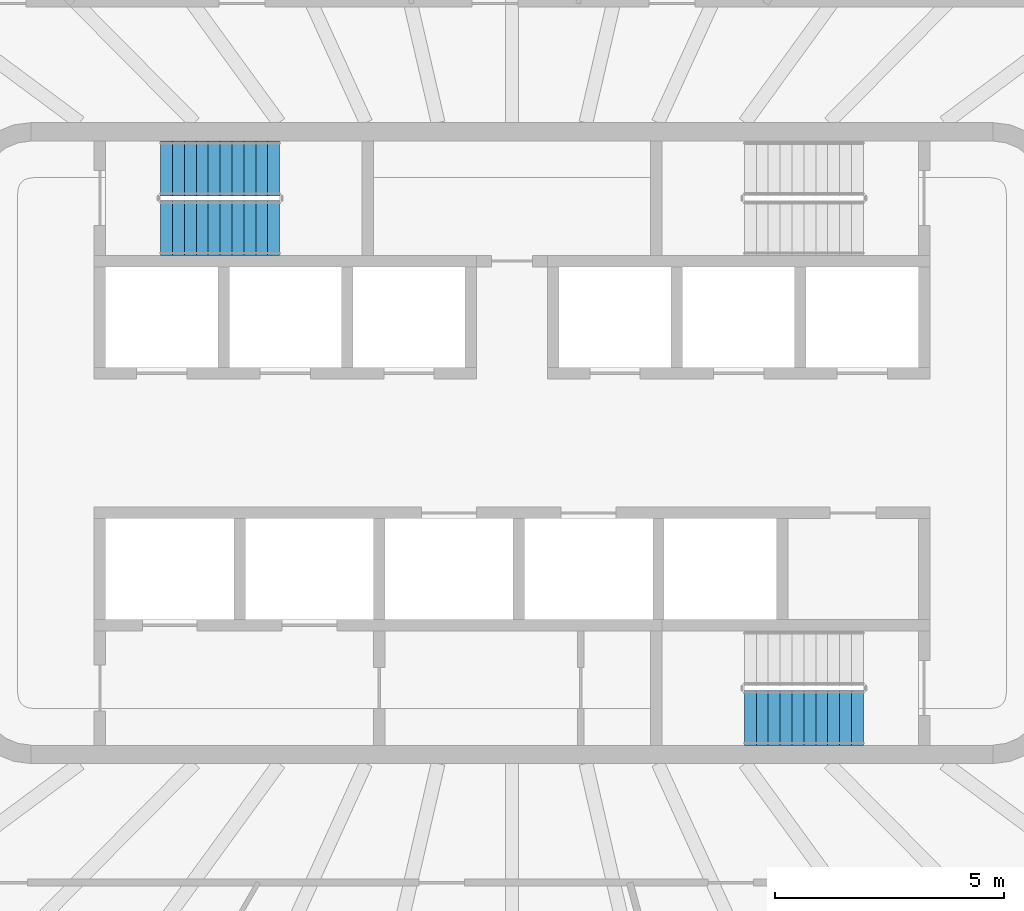
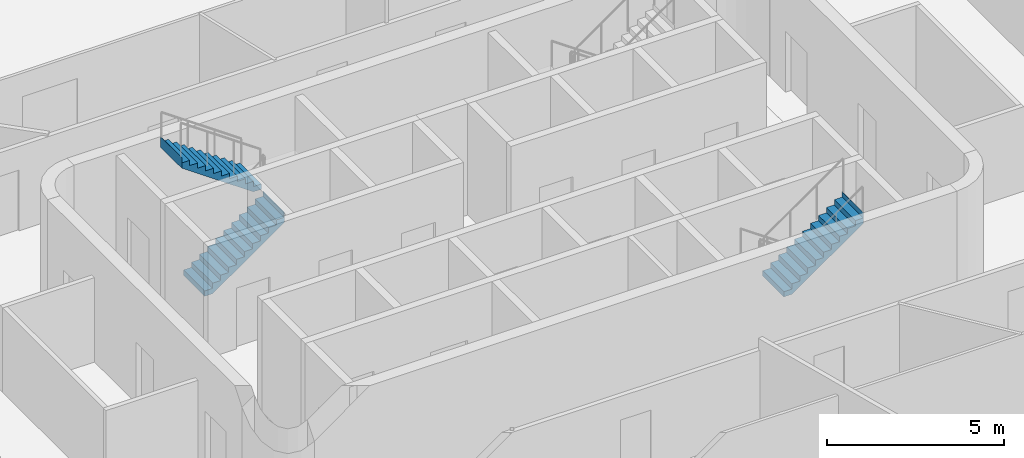
# One storey, part 14 of 20: 3 stair flights, 2 elements without a shape of their own.
"""IFC4 building model written with IfcOpenShell, lengths in metres."""

from ifc_helpers import new_model, si_unit, direction, frame, origin, place, context, subcontext, project, spatial, triangles, material, type_object, element, aggregate, save


model = new_model("IFC4")

# Units and contexts
model_context = context("Model", 3, precision=1e-05, world=origin(), true_north=direction((0.0, 1.0)))
body_context = subcontext(model_context, "Body", "Model", "MODEL_VIEW")
ifc_project = project(units=[si_unit("LENGTHUNIT", "METRE"), si_unit("AREAUNIT", "SQUARE_METRE"), si_unit("VOLUMEUNIT", "CUBIC_METRE"), si_unit("PLANEANGLEUNIT", "RADIAN"), si_unit("MASSUNIT", "GRAM", prefix="KILO")], contexts=[model_context])

# Site, building, storey
site_placement = place(None, origin())
site = spatial("IfcSite", under=ifc_project, at=site_placement, CompositionType="ELEMENT")
building_placement = place(site_placement, origin())
building = spatial("IfcBuilding", under=site, at=building_placement, Name="Sahrelin Media Tower", CompositionType="ELEMENT")
storey_placement = place(building_placement, frame((0.0, 0.0, 209.60009765625)))
storey = spatial("IfcBuildingStorey", under=building, at=storey_placement, Name="L44", CompositionType="ELEMENT", Elevation=209.60009765625)

# Stair, stair flights
ifc_material = material(Name="Concrete C40/50", Category="concrete")
stair_type = type_object("IfcStairType", Name="Exit stair 1200", PredefinedType="HALF_TURN_STAIR", material=ifc_material)
placement = place(storey_placement, origin())
stair_1 = element("IfcStair", 1, at=placement, inside=storey, type_object=stair_type, Name="L44 Exit stair ST1", PredefinedType="HALF_TURN_STAIR")
stair_flight_type = type_object("IfcStairFlightType", Name="Stair flight 1200", PredefinedType="STRAIGHT", material=ifc_material)
stair_flight_1_placement = place(storey_placement, frame((-7.675048828125, 4.699951171875, 0.0), z_axis=(0.0, 0.0, 1.0), x_axis=(1.0, 0.0, 0.0)))
stair_flight_1 = element("IfcStairFlight", 2, at=stair_flight_1_placement, type_object=stair_flight_type, Name="ST1 flight 1", NumberOfRisers=11, NumberOfTreads=10, PredefinedType="STRAIGHT", RiserHeight=0.181818182, TreadLength=0.26, context=body_context, shape_type="Tessellation", body=[
    triangles([(0.261474609375, 0.60009765625, 0.0), (0.261474609375, 0.300048828125, 0.0), (0.261474609375, 0.0, 0.0), (0.261474609375, -0.300048828125, 0.0), (0.261474609375, -0.60009765625, 0.0), (2.60009765625, 0.60009765625, 1.63525390625), (2.60009765625, 0.300048828125, 1.63525390625), (2.60009765625, 0.0, 1.63525390625), (2.60009765625, -0.300048828125, 1.63525390625), (2.60009765625, -0.60009765625, 1.63525390625), (2.60009765625, 0.60009765625, 2.0), (2.60009765625, 0.300048828125, 2.0), (2.60009765625, 0.0, 2.0), (2.60009765625, -0.300048828125, 2.0), (2.60009765625, -0.60009765625, 2.0), (2.597900390625, 0.60009765625, 2.0), (2.597900390625, 0.300048828125, 2.0), (2.597900390625, 0.0, 2.0), (2.597900390625, -0.300048828125, 2.0), (2.597900390625, -0.60009765625, 2.0), (2.597900390625, 0.60009765625, 1.818115234375), (2.597900390625, 0.300048828125, 1.818115234375), (2.597900390625, 0.0, 1.818115234375), (2.597900390625, -0.300048828125, 1.818115234375), (2.597900390625, -0.60009765625, 1.818115234375), (2.340087890625, 0.60009765625, 1.818115234375), (2.340087890625, 0.300048828125, 1.818115234375), (2.340087890625, 0.0, 1.818115234375), (2.340087890625, -0.300048828125, 1.818115234375), (2.340087890625, -0.60009765625, 1.818115234375), (2.340087890625, 0.60009765625, 1.636474609375), (2.340087890625, 0.300048828125, 1.636474609375), (2.340087890625, 0.0, 1.636474609375), (2.340087890625, -0.300048828125, 1.636474609375), (2.340087890625, -0.60009765625, 1.636474609375), (2.080078125, 0.60009765625, 1.636474609375), (2.080078125, 0.300048828125, 1.636474609375), (2.080078125, 0.0, 1.636474609375), (2.080078125, -0.300048828125, 1.636474609375), (2.080078125, -0.60009765625, 1.636474609375), (2.080078125, 0.60009765625, 1.45458984375), (2.080078125, 0.300048828125, 1.45458984375), (2.080078125, 0.0, 1.45458984375), (2.080078125, -0.300048828125, 1.45458984375), (2.080078125, -0.60009765625, 1.45458984375), (1.820068359375, 0.60009765625, 1.45458984375), (1.820068359375, 0.300048828125, 1.45458984375), (1.820068359375, 0.0, 1.45458984375), (1.820068359375, -0.300048828125, 1.45458984375), (1.820068359375, -0.60009765625, 1.45458984375), (1.820068359375, 0.60009765625, 1.272705078125), (1.820068359375, 0.300048828125, 1.272705078125), (1.820068359375, 0.0, 1.272705078125), (1.820068359375, -0.300048828125, 1.272705078125), (1.820068359375, -0.60009765625, 1.272705078125), (1.56005859375, 0.60009765625, 1.272705078125), (1.56005859375, 0.300048828125, 1.272705078125), (1.56005859375, 0.0, 1.272705078125), (1.56005859375, -0.300048828125, 1.272705078125), (1.56005859375, -0.60009765625, 1.272705078125), (1.56005859375, 0.60009765625, 1.0908203125), (1.56005859375, 0.300048828125, 1.0908203125), (1.56005859375, 0.0, 1.0908203125), (1.56005859375, -0.300048828125, 1.0908203125), (1.56005859375, -0.60009765625, 1.0908203125), (1.300048828125, 0.60009765625, 1.0908203125), (1.300048828125, 0.300048828125, 1.0908203125), (1.300048828125, 0.0, 1.0908203125), (1.300048828125, -0.300048828125, 1.0908203125), (1.300048828125, -0.60009765625, 1.0908203125), (1.300048828125, 0.60009765625, 0.9091796875), (1.300048828125, 0.300048828125, 0.9091796875), (1.300048828125, 0.0, 0.9091796875), (1.300048828125, -0.300048828125, 0.9091796875), (1.300048828125, -0.60009765625, 0.9091796875), (1.0400390625, 0.60009765625, 0.9091796875), (1.0400390625, 0.300048828125, 0.9091796875), (1.0400390625, 0.0, 0.9091796875), (1.0400390625, -0.300048828125, 0.9091796875), (1.0400390625, -0.60009765625, 0.9091796875), (1.0400390625, 0.60009765625, 0.727294921875), (1.0400390625, 0.300048828125, 0.727294921875), (1.0400390625, 0.0, 0.727294921875), (1.0400390625, -0.300048828125, 0.727294921875), (1.0400390625, -0.60009765625, 0.727294921875), (0.780029296875, 0.60009765625, 0.727294921875), (0.780029296875, 0.300048828125, 0.727294921875), (0.780029296875, 0.0, 0.727294921875), (0.780029296875, -0.300048828125, 0.727294921875), (0.780029296875, -0.60009765625, 0.727294921875), (0.780029296875, 0.60009765625, 0.54541015625), (0.780029296875, 0.300048828125, 0.54541015625), (0.780029296875, 0.0, 0.54541015625), (0.780029296875, -0.300048828125, 0.54541015625), (0.780029296875, -0.60009765625, 0.54541015625), (0.52001953125, 0.60009765625, 0.54541015625), (0.52001953125, 0.300048828125, 0.54541015625), (0.52001953125, 0.0, 0.54541015625), (0.52001953125, -0.300048828125, 0.54541015625), (0.52001953125, -0.60009765625, 0.54541015625), (0.52001953125, 0.60009765625, 0.363525390625), (0.52001953125, 0.300048828125, 0.363525390625), (0.52001953125, 0.0, 0.363525390625), (0.52001953125, -0.300048828125, 0.363525390625), (0.52001953125, -0.60009765625, 0.363525390625), (0.260009765625, 0.60009765625, 0.363525390625), (0.260009765625, 0.300048828125, 0.363525390625), (0.260009765625, 0.0, 0.363525390625), (0.260009765625, -0.300048828125, 0.363525390625), (0.260009765625, -0.60009765625, 0.363525390625), (0.260009765625, 0.60009765625, 0.181884765625), (0.260009765625, 0.300048828125, 0.181884765625), (0.260009765625, 0.0, 0.181884765625), (0.260009765625, -0.300048828125, 0.181884765625), (0.260009765625, -0.60009765625, 0.181884765625), (0.0, 0.60009765625, 0.181884765625), (0.0, 0.300048828125, 0.181884765625), (0.0, 0.0, 0.181884765625), (0.0, -0.300048828125, 0.181884765625), (0.0, -0.60009765625, 0.181884765625), (0.0, 0.60009765625, 0.0), (0.0, 0.300048828125, 0.0), (0.0, 0.0, 0.0), (0.0, -0.300048828125, 0.0), (0.0, -0.60009765625, 0.0)], [[1, 6, 7], [1, 7, 2], [2, 7, 8], [2, 8, 3], [3, 8, 9], [3, 9, 4], [4, 9, 10], [4, 10, 5], [6, 11, 12], [6, 12, 7], [7, 12, 13], [7, 13, 8], [8, 13, 14], [8, 14, 9], [9, 14, 15], [9, 15, 10], [11, 16, 17], [11, 17, 12], [12, 17, 18], [12, 18, 13], [13, 18, 19], [13, 19, 14], [14, 19, 20], [14, 20, 15], [16, 21, 22], [16, 22, 17], [17, 22, 23], [17, 23, 18], [18, 23, 24], [18, 24, 19], [19, 24, 25], [19, 25, 20], [21, 26, 27], [21, 27, 22], [22, 27, 28], [22, 28, 23], [23, 28, 29], [23, 29, 24], [24, 29, 30], [24, 30, 25], [26, 31, 32], [26, 32, 27], [27, 32, 33], [27, 33, 28], [28, 33, 34], [28, 34, 29], [29, 34, 35], [29, 35, 30], [31, 36, 37], [31, 37, 32], [32, 37, 38], [32, 38, 33], [33, 38, 39], [33, 39, 34], [34, 39, 40], [34, 40, 35], [36, 41, 42], [36, 42, 37], [37, 42, 43], [37, 43, 38], [38, 43, 44], [38, 44, 39], [39, 44, 45], [39, 45, 40], [41, 46, 47], [41, 47, 42], [42, 47, 48], [42, 48, 43], [43, 48, 49], [43, 49, 44], [44, 49, 50], [44, 50, 45], [46, 51, 52], [46, 52, 47], [47, 52, 53], [47, 53, 48], [48, 53, 54], [48, 54, 49], [49, 54, 55], [49, 55, 50], [51, 56, 57], [51, 57, 52], [52, 57, 58], [52, 58, 53], [53, 58, 59], [53, 59, 54], [54, 59, 60], [54, 60, 55], [56, 61, 62], [56, 62, 57], [57, 62, 63], [57, 63, 58], [58, 63, 64], [58, 64, 59], [59, 64, 65], [59, 65, 60], [61, 66, 67], [61, 67, 62], [62, 67, 68], [62, 68, 63], [63, 68, 69], [63, 69, 64], [64, 69, 70], [64, 70, 65], [66, 71, 72], [66, 72, 67], [67, 72, 73], [67, 73, 68], [68, 73, 74], [68, 74, 69], [69, 74, 75], [69, 75, 70], [71, 76, 77], [71, 77, 72], [72, 77, 78], [72, 78, 73], [73, 78, 79], [73, 79, 74], [74, 79, 80], [74, 80, 75], [76, 81, 82], [76, 82, 77], [77, 82, 83], [77, 83, 78], [78, 83, 84], [78, 84, 79], [79, 84, 85], [79, 85, 80], [81, 86, 87], [81, 87, 82], [82, 87, 88], [82, 88, 83], [83, 88, 89], [83, 89, 84], [84, 89, 90], [84, 90, 85], [86, 91, 92], [86, 92, 87], [87, 92, 93], [87, 93, 88], [88, 93, 94], [88, 94, 89], [89, 94, 95], [89, 95, 90], [91, 96, 97], [91, 97, 92], [92, 97, 98], [92, 98, 93], [93, 98, 99], [93, 99, 94], [94, 99, 100], [94, 100, 95], [96, 101, 102], [96, 102, 97], [97, 102, 103], [97, 103, 98], [98, 103, 104], [98, 104, 99], [99, 104, 105], [99, 105, 100], [101, 106, 107], [101, 107, 102], [102, 107, 108], [102, 108, 103], [103, 108, 109], [103, 109, 104], [104, 109, 110], [104, 110, 105], [106, 111, 112], [106, 112, 107], [107, 112, 113], [107, 113, 108], [108, 113, 114], [108, 114, 109], [109, 114, 115], [109, 115, 110], [111, 116, 117], [111, 117, 112], [112, 117, 118], [112, 118, 113], [113, 118, 119], [113, 119, 114], [114, 119, 120], [114, 120, 115], [116, 121, 122], [116, 122, 117], [117, 122, 123], [117, 123, 118], [118, 123, 124], [118, 124, 119], [119, 124, 125], [119, 125, 120], [121, 1, 2], [121, 2, 122], [122, 2, 3], [122, 3, 123], [123, 3, 4], [123, 4, 124], [124, 4, 5], [124, 5, 125], [115, 120, 125], [111, 121, 116], [115, 105, 110], [111, 106, 101], [105, 95, 100], [101, 96, 91], [95, 85, 90], [91, 86, 81], [85, 75, 80], [81, 76, 71], [75, 65, 70], [71, 66, 61], [65, 55, 60], [61, 56, 51], [55, 45, 50], [51, 46, 41], [45, 35, 40], [41, 36, 31], [35, 25, 30], [31, 26, 21], [25, 15, 20], [21, 16, 11], [125, 5, 115], [121, 111, 1], [25, 10, 15], [21, 11, 6], [105, 115, 5], [101, 1, 111], [35, 10, 25], [31, 21, 6], [95, 105, 5], [91, 1, 101], [45, 10, 35], [41, 31, 6], [85, 95, 5], [81, 1, 91], [55, 10, 45], [51, 41, 6], [75, 85, 5], [71, 1, 81], [65, 10, 55], [61, 51, 6], [5, 10, 75], [1, 71, 6], [75, 10, 65], [71, 61, 6]], closed=True),
])
stair_flight_2_placement = place(storey_placement, frame((-5.074951171875, 6.0, 2.0), z_axis=(0.0, 0.0, 1.0), x_axis=(-1.0, 0.0, 0.0)))
stair_flight_2 = element("IfcStairFlight", 3, at=stair_flight_2_placement, type_object=stair_flight_type, Name="ST1 flight 2", NumberOfRisers=11, NumberOfTreads=10, PredefinedType="STRAIGHT", RiserHeight=0.181818182, TreadLength=0.26, context=body_context, shape_type="Tessellation", body=[
    triangles([(0.261474609375, 0.60009765625, 0.0), (0.261474609375, 0.300048828125, 0.0), (0.261474609375, 0.0, 0.0), (0.261474609375, -0.300048828125, 0.0), (0.261474609375, -0.60009765625, 0.0), (2.60009765625, 0.60009765625, 1.63525390625), (2.60009765625, 0.300048828125, 1.63525390625), (2.60009765625, 0.0, 1.63525390625), (2.60009765625, -0.300048828125, 1.63525390625), (2.60009765625, -0.60009765625, 1.63525390625), (2.60009765625, 0.60009765625, 2.0), (2.60009765625, 0.300048828125, 2.0), (2.60009765625, 0.0, 2.0), (2.60009765625, -0.300048828125, 2.0), (2.60009765625, -0.60009765625, 2.0), (2.597900390625, 0.60009765625, 2.0), (2.597900390625, 0.300048828125, 2.0), (2.597900390625, 0.0, 2.0), (2.597900390625, -0.300048828125, 2.0), (2.597900390625, -0.60009765625, 2.0), (2.597900390625, 0.60009765625, 1.818115234375), (2.597900390625, 0.300048828125, 1.818115234375), (2.597900390625, 0.0, 1.818115234375), (2.597900390625, -0.300048828125, 1.818115234375), (2.597900390625, -0.60009765625, 1.818115234375), (2.340087890625, 0.60009765625, 1.818115234375), (2.340087890625, 0.300048828125, 1.818115234375), (2.340087890625, 0.0, 1.818115234375), (2.340087890625, -0.300048828125, 1.818115234375), (2.340087890625, -0.60009765625, 1.818115234375), (2.340087890625, 0.60009765625, 1.636474609375), (2.340087890625, 0.300048828125, 1.636474609375), (2.340087890625, 0.0, 1.636474609375), (2.340087890625, -0.300048828125, 1.636474609375), (2.340087890625, -0.60009765625, 1.636474609375), (2.080078125, 0.60009765625, 1.636474609375), (2.080078125, 0.300048828125, 1.636474609375), (2.080078125, 0.0, 1.636474609375), (2.080078125, -0.300048828125, 1.636474609375), (2.080078125, -0.60009765625, 1.636474609375), (2.080078125, 0.60009765625, 1.45458984375), (2.080078125, 0.300048828125, 1.45458984375), (2.080078125, 0.0, 1.45458984375), (2.080078125, -0.300048828125, 1.45458984375), (2.080078125, -0.60009765625, 1.45458984375), (1.820068359375, 0.60009765625, 1.45458984375), (1.820068359375, 0.300048828125, 1.45458984375), (1.820068359375, 0.0, 1.45458984375), (1.820068359375, -0.300048828125, 1.45458984375), (1.820068359375, -0.60009765625, 1.45458984375), (1.820068359375, 0.60009765625, 1.272705078125), (1.820068359375, 0.300048828125, 1.272705078125), (1.820068359375, 0.0, 1.272705078125), (1.820068359375, -0.300048828125, 1.272705078125), (1.820068359375, -0.60009765625, 1.272705078125), (1.56005859375, 0.60009765625, 1.272705078125), (1.56005859375, 0.300048828125, 1.272705078125), (1.56005859375, 0.0, 1.272705078125), (1.56005859375, -0.300048828125, 1.272705078125), (1.56005859375, -0.60009765625, 1.272705078125), (1.56005859375, 0.60009765625, 1.0908203125), (1.56005859375, 0.300048828125, 1.0908203125), (1.56005859375, 0.0, 1.0908203125), (1.56005859375, -0.300048828125, 1.0908203125), (1.56005859375, -0.60009765625, 1.0908203125), (1.300048828125, 0.60009765625, 1.0908203125), (1.300048828125, 0.300048828125, 1.0908203125), (1.300048828125, 0.0, 1.0908203125), (1.300048828125, -0.300048828125, 1.0908203125), (1.300048828125, -0.60009765625, 1.0908203125), (1.300048828125, 0.60009765625, 0.9091796875), (1.300048828125, 0.300048828125, 0.9091796875), (1.300048828125, 0.0, 0.9091796875), (1.300048828125, -0.300048828125, 0.9091796875), (1.300048828125, -0.60009765625, 0.9091796875), (1.0400390625, 0.60009765625, 0.9091796875), (1.0400390625, 0.300048828125, 0.9091796875), (1.0400390625, 0.0, 0.9091796875), (1.0400390625, -0.300048828125, 0.9091796875), (1.0400390625, -0.60009765625, 0.9091796875), (1.0400390625, 0.60009765625, 0.727294921875), (1.0400390625, 0.300048828125, 0.727294921875), (1.0400390625, 0.0, 0.727294921875), (1.0400390625, -0.300048828125, 0.727294921875), (1.0400390625, -0.60009765625, 0.727294921875), (0.780029296875, 0.60009765625, 0.727294921875), (0.780029296875, 0.300048828125, 0.727294921875), (0.780029296875, 0.0, 0.727294921875), (0.780029296875, -0.300048828125, 0.727294921875), (0.780029296875, -0.60009765625, 0.727294921875), (0.780029296875, 0.60009765625, 0.54541015625), (0.780029296875, 0.300048828125, 0.54541015625), (0.780029296875, 0.0, 0.54541015625), (0.780029296875, -0.300048828125, 0.54541015625), (0.780029296875, -0.60009765625, 0.54541015625), (0.52001953125, 0.60009765625, 0.54541015625), (0.52001953125, 0.300048828125, 0.54541015625), (0.52001953125, 0.0, 0.54541015625), (0.52001953125, -0.300048828125, 0.54541015625), (0.52001953125, -0.60009765625, 0.54541015625), (0.52001953125, 0.60009765625, 0.363525390625), (0.52001953125, 0.300048828125, 0.363525390625), (0.52001953125, 0.0, 0.363525390625), (0.52001953125, -0.300048828125, 0.363525390625), (0.52001953125, -0.60009765625, 0.363525390625), (0.260009765625, 0.60009765625, 0.363525390625), (0.260009765625, 0.300048828125, 0.363525390625), (0.260009765625, 0.0, 0.363525390625), (0.260009765625, -0.300048828125, 0.363525390625), (0.260009765625, -0.60009765625, 0.363525390625), (0.260009765625, 0.60009765625, 0.181884765625), (0.260009765625, 0.300048828125, 0.181884765625), (0.260009765625, 0.0, 0.181884765625), (0.260009765625, -0.300048828125, 0.181884765625), (0.260009765625, -0.60009765625, 0.181884765625), (0.0, 0.60009765625, 0.181884765625), (0.0, 0.300048828125, 0.181884765625), (0.0, 0.0, 0.181884765625), (0.0, -0.300048828125, 0.181884765625), (0.0, -0.60009765625, 0.181884765625), (0.0, 0.60009765625, 0.0), (0.0, 0.300048828125, 0.0), (0.0, 0.0, 0.0), (0.0, -0.300048828125, 0.0), (0.0, -0.60009765625, 0.0)], [[1, 6, 7], [1, 7, 2], [2, 7, 8], [2, 8, 3], [3, 8, 9], [3, 9, 4], [4, 9, 10], [4, 10, 5], [6, 11, 12], [6, 12, 7], [7, 12, 13], [7, 13, 8], [8, 13, 14], [8, 14, 9], [9, 14, 15], [9, 15, 10], [11, 16, 17], [11, 17, 12], [12, 17, 18], [12, 18, 13], [13, 18, 19], [13, 19, 14], [14, 19, 20], [14, 20, 15], [16, 21, 22], [16, 22, 17], [17, 22, 23], [17, 23, 18], [18, 23, 24], [18, 24, 19], [19, 24, 25], [19, 25, 20], [21, 26, 27], [21, 27, 22], [22, 27, 28], [22, 28, 23], [23, 28, 29], [23, 29, 24], [24, 29, 30], [24, 30, 25], [26, 31, 32], [26, 32, 27], [27, 32, 33], [27, 33, 28], [28, 33, 34], [28, 34, 29], [29, 34, 35], [29, 35, 30], [31, 36, 37], [31, 37, 32], [32, 37, 38], [32, 38, 33], [33, 38, 39], [33, 39, 34], [34, 39, 40], [34, 40, 35], [36, 41, 42], [36, 42, 37], [37, 42, 43], [37, 43, 38], [38, 43, 44], [38, 44, 39], [39, 44, 45], [39, 45, 40], [41, 46, 47], [41, 47, 42], [42, 47, 48], [42, 48, 43], [43, 48, 49], [43, 49, 44], [44, 49, 50], [44, 50, 45], [46, 51, 52], [46, 52, 47], [47, 52, 53], [47, 53, 48], [48, 53, 54], [48, 54, 49], [49, 54, 55], [49, 55, 50], [51, 56, 57], [51, 57, 52], [52, 57, 58], [52, 58, 53], [53, 58, 59], [53, 59, 54], [54, 59, 60], [54, 60, 55], [56, 61, 62], [56, 62, 57], [57, 62, 63], [57, 63, 58], [58, 63, 64], [58, 64, 59], [59, 64, 65], [59, 65, 60], [61, 66, 67], [61, 67, 62], [62, 67, 68], [62, 68, 63], [63, 68, 69], [63, 69, 64], [64, 69, 70], [64, 70, 65], [66, 71, 72], [66, 72, 67], [67, 72, 73], [67, 73, 68], [68, 73, 74], [68, 74, 69], [69, 74, 75], [69, 75, 70], [71, 76, 77], [71, 77, 72], [72, 77, 78], [72, 78, 73], [73, 78, 79], [73, 79, 74], [74, 79, 80], [74, 80, 75], [76, 81, 82], [76, 82, 77], [77, 82, 83], [77, 83, 78], [78, 83, 84], [78, 84, 79], [79, 84, 85], [79, 85, 80], [81, 86, 87], [81, 87, 82], [82, 87, 88], [82, 88, 83], [83, 88, 89], [83, 89, 84], [84, 89, 90], [84, 90, 85], [86, 91, 92], [86, 92, 87], [87, 92, 93], [87, 93, 88], [88, 93, 94], [88, 94, 89], [89, 94, 95], [89, 95, 90], [91, 96, 97], [91, 97, 92], [92, 97, 98], [92, 98, 93], [93, 98, 99], [93, 99, 94], [94, 99, 100], [94, 100, 95], [96, 101, 102], [96, 102, 97], [97, 102, 103], [97, 103, 98], [98, 103, 104], [98, 104, 99], [99, 104, 105], [99, 105, 100], [101, 106, 107], [101, 107, 102], [102, 107, 108], [102, 108, 103], [103, 108, 109], [103, 109, 104], [104, 109, 110], [104, 110, 105], [106, 111, 112], [106, 112, 107], [107, 112, 113], [107, 113, 108], [108, 113, 114], [108, 114, 109], [109, 114, 115], [109, 115, 110], [111, 116, 117], [111, 117, 112], [112, 117, 118], [112, 118, 113], [113, 118, 119], [113, 119, 114], [114, 119, 120], [114, 120, 115], [116, 121, 122], [116, 122, 117], [117, 122, 123], [117, 123, 118], [118, 123, 124], [118, 124, 119], [119, 124, 125], [119, 125, 120], [121, 1, 2], [121, 2, 122], [122, 2, 3], [122, 3, 123], [123, 3, 4], [123, 4, 124], [124, 4, 5], [124, 5, 125], [115, 120, 125], [111, 121, 116], [115, 105, 110], [111, 106, 101], [105, 95, 100], [101, 96, 91], [95, 85, 90], [91, 86, 81], [85, 75, 80], [81, 76, 71], [75, 65, 70], [71, 66, 61], [65, 55, 60], [61, 56, 51], [55, 45, 50], [51, 46, 41], [45, 35, 40], [41, 36, 31], [35, 25, 30], [31, 26, 21], [25, 15, 20], [21, 16, 11], [125, 5, 115], [121, 111, 1], [25, 10, 15], [21, 11, 6], [105, 115, 5], [101, 1, 111], [35, 10, 25], [31, 21, 6], [95, 105, 5], [91, 1, 101], [45, 10, 35], [41, 31, 6], [85, 95, 5], [81, 1, 91], [55, 10, 45], [51, 41, 6], [75, 85, 5], [71, 1, 81], [65, 10, 55], [61, 51, 6], [5, 10, 75], [1, 71, 6], [75, 10, 65], [71, 61, 6]], closed=True),
])
aggregate(stair_1, [stair_flight_1, stair_flight_2])

# Stair, stair flight
stair_2 = element("IfcStair", 4, at=placement, inside=storey, type_object=stair_type, Name="L44 Exit stair ST2", PredefinedType="HALF_TURN_STAIR")
stair_flight_3_placement = place(storey_placement, frame((5.074951171875, -6.0, 2.0), z_axis=(0.0, 0.0, 1.0), x_axis=(1.0, 0.0, 0.0)))
stair_flight_3 = element("IfcStairFlight", 5, at=stair_flight_3_placement, type_object=stair_flight_type, Name="ST2 flight 2", NumberOfRisers=11, NumberOfTreads=10, PredefinedType="STRAIGHT", RiserHeight=0.181818182, TreadLength=0.26, context=body_context, shape_type="Tessellation", body=[
    triangles([(0.261474609375, 0.60009765625, 0.0), (0.261474609375, 0.300048828125, 0.0), (0.261474609375, 0.0, 0.0), (0.261474609375, -0.300048828125, 0.0), (0.261474609375, -0.60009765625, 0.0), (2.60009765625, 0.60009765625, 1.63525390625), (2.60009765625, 0.300048828125, 1.63525390625), (2.60009765625, 0.0, 1.63525390625), (2.60009765625, -0.300048828125, 1.63525390625), (2.60009765625, -0.60009765625, 1.63525390625), (2.60009765625, 0.60009765625, 2.0), (2.60009765625, 0.300048828125, 2.0), (2.60009765625, 0.0, 2.0), (2.60009765625, -0.300048828125, 2.0), (2.60009765625, -0.60009765625, 2.0), (2.597900390625, 0.60009765625, 2.0), (2.597900390625, 0.300048828125, 2.0), (2.597900390625, 0.0, 2.0), (2.597900390625, -0.300048828125, 2.0), (2.597900390625, -0.60009765625, 2.0), (2.597900390625, 0.60009765625, 1.818115234375), (2.597900390625, 0.300048828125, 1.818115234375), (2.597900390625, 0.0, 1.818115234375), (2.597900390625, -0.300048828125, 1.818115234375), (2.597900390625, -0.60009765625, 1.818115234375), (2.340087890625, 0.60009765625, 1.818115234375), (2.340087890625, 0.300048828125, 1.818115234375), (2.340087890625, 0.0, 1.818115234375), (2.340087890625, -0.300048828125, 1.818115234375), (2.340087890625, -0.60009765625, 1.818115234375), (2.340087890625, 0.60009765625, 1.636474609375), (2.340087890625, 0.300048828125, 1.636474609375), (2.340087890625, 0.0, 1.636474609375), (2.340087890625, -0.300048828125, 1.636474609375), (2.340087890625, -0.60009765625, 1.636474609375), (2.080078125, 0.60009765625, 1.636474609375), (2.080078125, 0.300048828125, 1.636474609375), (2.080078125, 0.0, 1.636474609375), (2.080078125, -0.300048828125, 1.636474609375), (2.080078125, -0.60009765625, 1.636474609375), (2.080078125, 0.60009765625, 1.45458984375), (2.080078125, 0.300048828125, 1.45458984375), (2.080078125, 0.0, 1.45458984375), (2.080078125, -0.300048828125, 1.45458984375), (2.080078125, -0.60009765625, 1.45458984375), (1.820068359375, 0.60009765625, 1.45458984375), (1.820068359375, 0.300048828125, 1.45458984375), (1.820068359375, 0.0, 1.45458984375), (1.820068359375, -0.300048828125, 1.45458984375), (1.820068359375, -0.60009765625, 1.45458984375), (1.820068359375, 0.60009765625, 1.272705078125), (1.820068359375, 0.300048828125, 1.272705078125), (1.820068359375, 0.0, 1.272705078125), (1.820068359375, -0.300048828125, 1.272705078125), (1.820068359375, -0.60009765625, 1.272705078125), (1.56005859375, 0.60009765625, 1.272705078125), (1.56005859375, 0.300048828125, 1.272705078125), (1.56005859375, 0.0, 1.272705078125), (1.56005859375, -0.300048828125, 1.272705078125), (1.56005859375, -0.60009765625, 1.272705078125), (1.56005859375, 0.60009765625, 1.0908203125), (1.56005859375, 0.300048828125, 1.0908203125), (1.56005859375, 0.0, 1.0908203125), (1.56005859375, -0.300048828125, 1.0908203125), (1.56005859375, -0.60009765625, 1.0908203125), (1.300048828125, 0.60009765625, 1.0908203125), (1.300048828125, 0.300048828125, 1.0908203125), (1.300048828125, 0.0, 1.0908203125), (1.300048828125, -0.300048828125, 1.0908203125), (1.300048828125, -0.60009765625, 1.0908203125), (1.300048828125, 0.60009765625, 0.9091796875), (1.300048828125, 0.300048828125, 0.9091796875), (1.300048828125, 0.0, 0.9091796875), (1.300048828125, -0.300048828125, 0.9091796875), (1.300048828125, -0.60009765625, 0.9091796875), (1.0400390625, 0.60009765625, 0.9091796875), (1.0400390625, 0.300048828125, 0.9091796875), (1.0400390625, 0.0, 0.9091796875), (1.0400390625, -0.300048828125, 0.9091796875), (1.0400390625, -0.60009765625, 0.9091796875), (1.0400390625, 0.60009765625, 0.727294921875), (1.0400390625, 0.300048828125, 0.727294921875), (1.0400390625, 0.0, 0.727294921875), (1.0400390625, -0.300048828125, 0.727294921875), (1.0400390625, -0.60009765625, 0.727294921875), (0.780029296875, 0.60009765625, 0.727294921875), (0.780029296875, 0.300048828125, 0.727294921875), (0.780029296875, 0.0, 0.727294921875), (0.780029296875, -0.300048828125, 0.727294921875), (0.780029296875, -0.60009765625, 0.727294921875), (0.780029296875, 0.60009765625, 0.54541015625), (0.780029296875, 0.300048828125, 0.54541015625), (0.780029296875, 0.0, 0.54541015625), (0.780029296875, -0.300048828125, 0.54541015625), (0.780029296875, -0.60009765625, 0.54541015625), (0.52001953125, 0.60009765625, 0.54541015625), (0.52001953125, 0.300048828125, 0.54541015625), (0.52001953125, 0.0, 0.54541015625), (0.52001953125, -0.300048828125, 0.54541015625), (0.52001953125, -0.60009765625, 0.54541015625), (0.52001953125, 0.60009765625, 0.363525390625), (0.52001953125, 0.300048828125, 0.363525390625), (0.52001953125, 0.0, 0.363525390625), (0.52001953125, -0.300048828125, 0.363525390625), (0.52001953125, -0.60009765625, 0.363525390625), (0.260009765625, 0.60009765625, 0.363525390625), (0.260009765625, 0.300048828125, 0.363525390625), (0.260009765625, 0.0, 0.363525390625), (0.260009765625, -0.300048828125, 0.363525390625), (0.260009765625, -0.60009765625, 0.363525390625), (0.260009765625, 0.60009765625, 0.181884765625), (0.260009765625, 0.300048828125, 0.181884765625), (0.260009765625, 0.0, 0.181884765625), (0.260009765625, -0.300048828125, 0.181884765625), (0.260009765625, -0.60009765625, 0.181884765625), (0.0, 0.60009765625, 0.181884765625), (0.0, 0.300048828125, 0.181884765625), (0.0, 0.0, 0.181884765625), (0.0, -0.300048828125, 0.181884765625), (0.0, -0.60009765625, 0.181884765625), (0.0, 0.60009765625, 0.0), (0.0, 0.300048828125, 0.0), (0.0, 0.0, 0.0), (0.0, -0.300048828125, 0.0), (0.0, -0.60009765625, 0.0)], [[1, 6, 7], [1, 7, 2], [2, 7, 8], [2, 8, 3], [3, 8, 9], [3, 9, 4], [4, 9, 10], [4, 10, 5], [6, 11, 12], [6, 12, 7], [7, 12, 13], [7, 13, 8], [8, 13, 14], [8, 14, 9], [9, 14, 15], [9, 15, 10], [11, 16, 17], [11, 17, 12], [12, 17, 18], [12, 18, 13], [13, 18, 19], [13, 19, 14], [14, 19, 20], [14, 20, 15], [16, 21, 22], [16, 22, 17], [17, 22, 23], [17, 23, 18], [18, 23, 24], [18, 24, 19], [19, 24, 25], [19, 25, 20], [21, 26, 27], [21, 27, 22], [22, 27, 28], [22, 28, 23], [23, 28, 29], [23, 29, 24], [24, 29, 30], [24, 30, 25], [26, 31, 32], [26, 32, 27], [27, 32, 33], [27, 33, 28], [28, 33, 34], [28, 34, 29], [29, 34, 35], [29, 35, 30], [31, 36, 37], [31, 37, 32], [32, 37, 38], [32, 38, 33], [33, 38, 39], [33, 39, 34], [34, 39, 40], [34, 40, 35], [36, 41, 42], [36, 42, 37], [37, 42, 43], [37, 43, 38], [38, 43, 44], [38, 44, 39], [39, 44, 45], [39, 45, 40], [41, 46, 47], [41, 47, 42], [42, 47, 48], [42, 48, 43], [43, 48, 49], [43, 49, 44], [44, 49, 50], [44, 50, 45], [46, 51, 52], [46, 52, 47], [47, 52, 53], [47, 53, 48], [48, 53, 54], [48, 54, 49], [49, 54, 55], [49, 55, 50], [51, 56, 57], [51, 57, 52], [52, 57, 58], [52, 58, 53], [53, 58, 59], [53, 59, 54], [54, 59, 60], [54, 60, 55], [56, 61, 62], [56, 62, 57], [57, 62, 63], [57, 63, 58], [58, 63, 64], [58, 64, 59], [59, 64, 65], [59, 65, 60], [61, 66, 67], [61, 67, 62], [62, 67, 68], [62, 68, 63], [63, 68, 69], [63, 69, 64], [64, 69, 70], [64, 70, 65], [66, 71, 72], [66, 72, 67], [67, 72, 73], [67, 73, 68], [68, 73, 74], [68, 74, 69], [69, 74, 75], [69, 75, 70], [71, 76, 77], [71, 77, 72], [72, 77, 78], [72, 78, 73], [73, 78, 79], [73, 79, 74], [74, 79, 80], [74, 80, 75], [76, 81, 82], [76, 82, 77], [77, 82, 83], [77, 83, 78], [78, 83, 84], [78, 84, 79], [79, 84, 85], [79, 85, 80], [81, 86, 87], [81, 87, 82], [82, 87, 88], [82, 88, 83], [83, 88, 89], [83, 89, 84], [84, 89, 90], [84, 90, 85], [86, 91, 92], [86, 92, 87], [87, 92, 93], [87, 93, 88], [88, 93, 94], [88, 94, 89], [89, 94, 95], [89, 95, 90], [91, 96, 97], [91, 97, 92], [92, 97, 98], [92, 98, 93], [93, 98, 99], [93, 99, 94], [94, 99, 100], [94, 100, 95], [96, 101, 102], [96, 102, 97], [97, 102, 103], [97, 103, 98], [98, 103, 104], [98, 104, 99], [99, 104, 105], [99, 105, 100], [101, 106, 107], [101, 107, 102], [102, 107, 108], [102, 108, 103], [103, 108, 109], [103, 109, 104], [104, 109, 110], [104, 110, 105], [106, 111, 112], [106, 112, 107], [107, 112, 113], [107, 113, 108], [108, 113, 114], [108, 114, 109], [109, 114, 115], [109, 115, 110], [111, 116, 117], [111, 117, 112], [112, 117, 118], [112, 118, 113], [113, 118, 119], [113, 119, 114], [114, 119, 120], [114, 120, 115], [116, 121, 122], [116, 122, 117], [117, 122, 123], [117, 123, 118], [118, 123, 124], [118, 124, 119], [119, 124, 125], [119, 125, 120], [121, 1, 2], [121, 2, 122], [122, 2, 3], [122, 3, 123], [123, 3, 4], [123, 4, 124], [124, 4, 5], [124, 5, 125], [115, 120, 125], [111, 121, 116], [115, 105, 110], [111, 106, 101], [105, 95, 100], [101, 96, 91], [95, 85, 90], [91, 86, 81], [85, 75, 80], [81, 76, 71], [75, 65, 70], [71, 66, 61], [65, 55, 60], [61, 56, 51], [55, 45, 50], [51, 46, 41], [45, 35, 40], [41, 36, 31], [35, 25, 30], [31, 26, 21], [25, 15, 20], [21, 16, 11], [125, 5, 115], [121, 111, 1], [25, 10, 15], [21, 11, 6], [105, 115, 5], [101, 1, 111], [35, 10, 25], [31, 21, 6], [95, 105, 5], [91, 1, 101], [45, 10, 35], [41, 31, 6], [85, 95, 5], [81, 1, 91], [55, 10, 45], [51, 41, 6], [75, 85, 5], [71, 1, 81], [65, 10, 55], [61, 51, 6], [5, 10, 75], [1, 71, 6], [75, 10, 65], [71, 61, 6]], closed=True),
])
aggregate(stair_2, [stair_flight_3])

save(model, "model.ifc")
